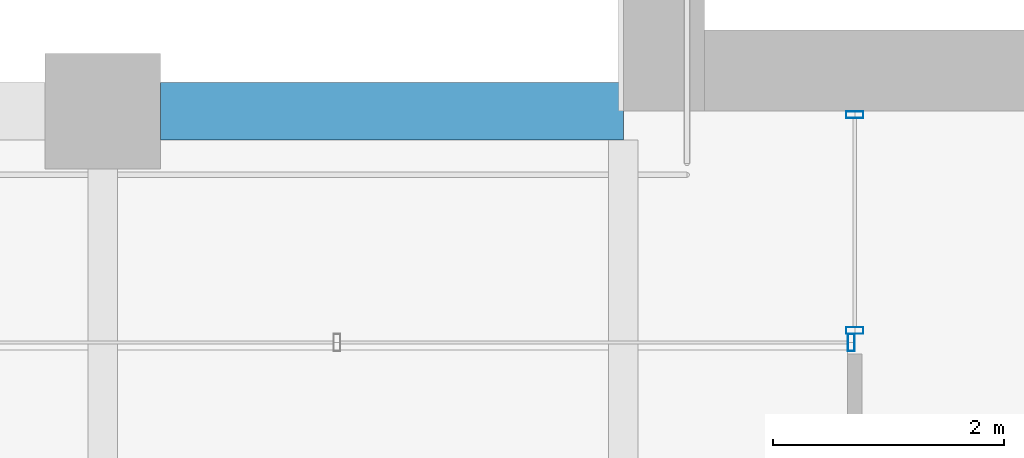
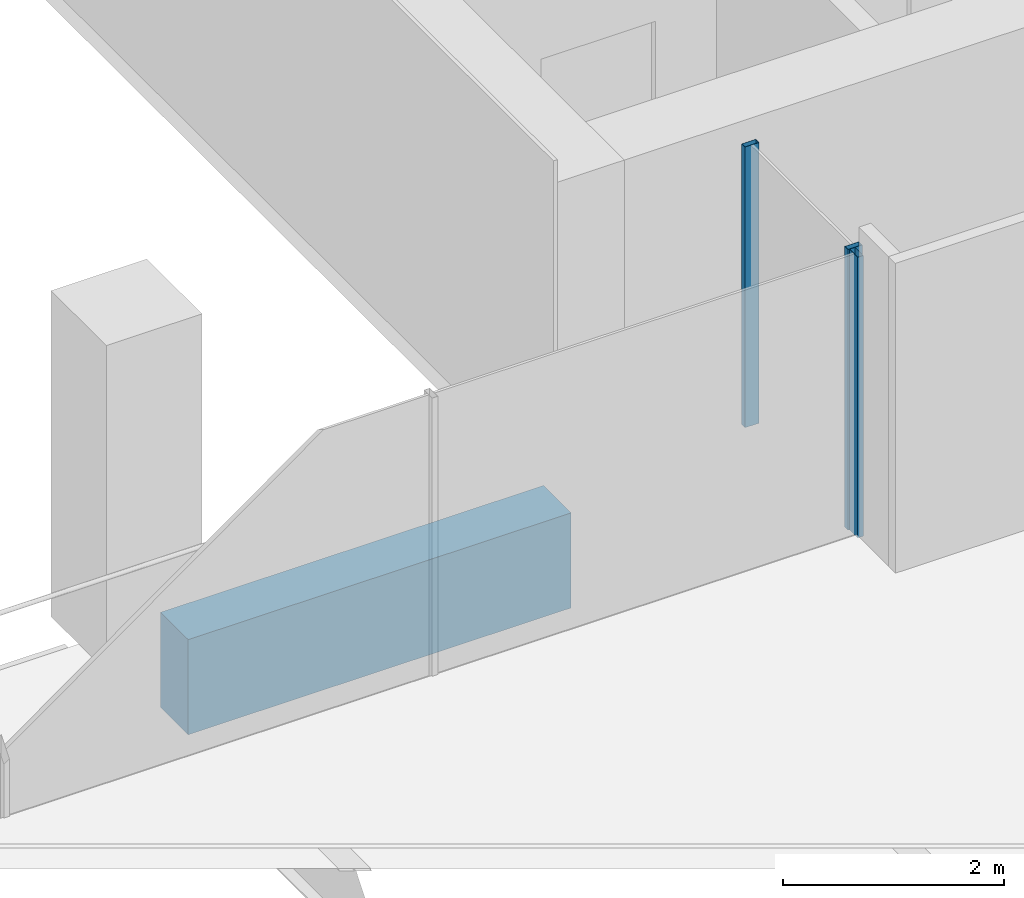
# One storey, part 6 of 46: 3 members, 1 beam, 2 elements without a shape of their own.
"""IFC4 building model written with IfcOpenShell, lengths in metres."""

from ifc_helpers import new_model, si_unit, direction, frame, origin, origin_2d, place, context, subcontext, project, spatial, rectangle, hollow_rectangle, extrude, material, material_profile, profile_set, type_object, element, aggregate, save


model = new_model("IFC4")

# Units and contexts
model_context = context("Model", 3, precision=1e-05, world=origin(), true_north=direction((0.0, 1.0)))
body_context = subcontext(model_context, "Body", "Model", "MODEL_VIEW")
ifc_project = project(units=[si_unit("LENGTHUNIT", "METRE"), si_unit("AREAUNIT", "SQUARE_METRE"), si_unit("VOLUMEUNIT", "CUBIC_METRE"), si_unit("PLANEANGLEUNIT", "RADIAN"), si_unit("MASSUNIT", "GRAM", prefix="KILO")], contexts=[model_context])

# Site, building, storey
site_placement = place(None, origin())
site = spatial("IfcSite", under=ifc_project, at=site_placement, CompositionType="ELEMENT")
building_placement = place(site_placement, origin())
building = spatial("IfcBuilding", under=site, at=building_placement, Name="Altepetl Exchange Towers", CompositionType="ELEMENT")
storey_placement = place(building_placement, frame((0.0, 0.0, 131.60009765625)))
storey = spatial("IfcBuildingStorey", under=building, at=storey_placement, Name="L32", CompositionType="ELEMENT", Elevation=131.60009765625)

# Curtain wall, members
ifc_material_1 = material(Name="Aluminium 6063-T6 glazing", Category="aluminium")
curtain_wall_type = type_object("IfcCurtainWallType", Name="Loggia glazing system", PredefinedType="NOTDEFINED", material=ifc_material_1)
curtain_wall_1_placement = place(storey_placement, origin())
curtain_wall_1 = element("IfcCurtainWall", 1, at=curtain_wall_1_placement, inside=storey, type_object=curtain_wall_type, Name="CW1 run", PredefinedType="NOTDEFINED")
ifc_material_2 = material(Name="Aluminium 6063-T6", Category="aluminium")
ifc_material_profile_1 = material_profile(ifc_material_2, hollow_rectangle(XDim=0.06005859375, YDim=0.14990234375, WallThickness=0.0029296875, at=origin_2d()), Name="Mullion 60x150 aluminium")
ifc_profile_set_1 = profile_set([ifc_material_profile_1], Name="Aluminium 6063-T6")
member_type = type_object("IfcMemberType", Name="Mullion 60x150 aluminium", PredefinedType="MULLION", material=ifc_profile_set_1)
member_1_placement = place(storey_placement, frame((42.5, 40.469970703125, 0.0), z_axis=(0.0, 0.0, 1.0), x_axis=(0.0, -1.0, 0.0)))
member_1 = element("IfcMember", 2, at=member_1_placement, type_object=member_type, Name="MU1 mullion", PredefinedType="MULLION", context=body_context, shape_type="SweptSolid", body=[
    extrude(hollow_rectangle(XDim=0.06005859375, YDim=0.14990234375, WallThickness=0.0029296875, at=origin_2d()), origin(), (0.0, 0.0, 1.0), 3.099853515625),
])
member_2_placement = place(storey_placement, frame((42.5, 38.60498046875, 0.0), z_axis=(0.0, 0.0, 1.0), x_axis=(0.0, -1.0, 0.0)))
member_2 = element("IfcMember", 3, at=member_2_placement, type_object=member_type, Name="MU1 mullion", PredefinedType="MULLION", context=body_context, shape_type="SweptSolid", body=[
    extrude(hollow_rectangle(XDim=0.06005859375, YDim=0.14990234375, WallThickness=0.0029296875, at=origin_2d()), origin(), (0.0, 0.0, 1.0), 3.099853515625),
])
aggregate(curtain_wall_1, [member_1, member_2])

# Curtain wall, member
curtain_wall_2_placement = place(storey_placement, origin())
curtain_wall_2 = element("IfcCurtainWall", 4, at=curtain_wall_2_placement, inside=storey, type_object=curtain_wall_type, Name="CW1 run", PredefinedType="NOTDEFINED")
member_3_placement = place(storey_placement, frame((42.469970703125, 38.5, 0.0), z_axis=(0.0, 0.0, 1.0), x_axis=(-1.0, 0.0, 0.0)))
member_3 = element("IfcMember", 5, at=member_3_placement, type_object=member_type, Name="MU1 mullion", PredefinedType="MULLION", context=body_context, shape_type="SweptSolid", body=[
    extrude(hollow_rectangle(XDim=0.06005859375, YDim=0.14990234375, WallThickness=0.0029296875, at=origin_2d()), origin(), (0.0, 0.0, 1.0), 3.099853515625),
])
aggregate(curtain_wall_2, [member_3])

# Beam
ifc_material_3 = material(Name="Concrete C50/60 precast with tezontle facing", Category="concrete")
ifc_material_profile_2 = material_profile(ifc_material_3, rectangle(XDim=0.5, YDim=1.050048828125, at=origin_2d()), Name="500 x 1050")
ifc_profile_set_2 = profile_set([ifc_material_profile_2], Name="Concrete C50/60 precast with tezontle facing")
beam_type = type_object("IfcBeamType", Name="Spandrel beam 500x1050 tezontle", PredefinedType="SPANDREL", material=ifc_profile_set_2)
beam_placement = place(storey_placement, frame((40.5, 40.5, -0.675048828125), z_axis=(-1.0, 0.0, 0.0), x_axis=(0.0, -1.0, 0.0)))
element("IfcBeam", 6, at=beam_placement, inside=storey, type_object=beam_type, Name="sp:A:L32:033", PredefinedType="SPANDREL", context=body_context, shape_type="SweptSolid", body=[
    extrude(rectangle(XDim=0.5, YDim=1.050048828125, at=origin_2d()), origin(), (0.0, 0.0, 1.0), 4.0),
])

save(model, "model.ifc")
